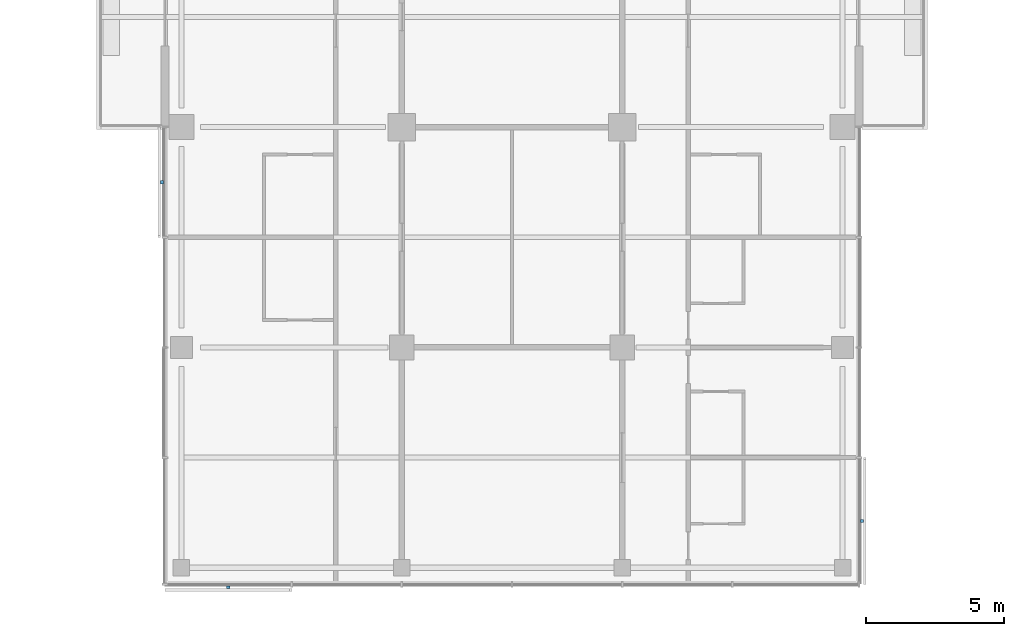
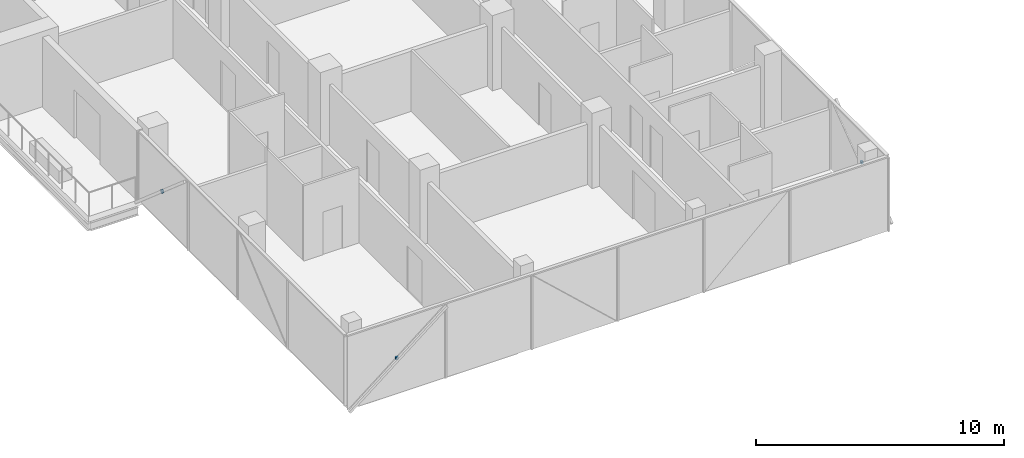
# One storey, part 21 of 25: 3 discrete accessories.
"""IFC4 building model written with IfcOpenShell, lengths in metres."""

from ifc_helpers import new_model, si_unit, direction, frame, origin, origin_2d, place, context, subcontext, project, spatial, rectangle, extrude, material, type_object, element, save


model = new_model("IFC4")

# Units and contexts
model_context = context("Model", 3, precision=1e-05, world=origin(), true_north=direction((0.0, 1.0)))
body_context = subcontext(model_context, "Body", "Model", "MODEL_VIEW")
ifc_project = project(units=[si_unit("LENGTHUNIT", "METRE"), si_unit("AREAUNIT", "SQUARE_METRE"), si_unit("VOLUMEUNIT", "CUBIC_METRE"), si_unit("PLANEANGLEUNIT", "RADIAN"), si_unit("MASSUNIT", "GRAM", prefix="KILO")], contexts=[model_context])

# Site, building, storey
site_placement = place(None, origin())
site = spatial("IfcSite", under=ifc_project, at=site_placement, CompositionType="ELEMENT")
building_placement = place(site_placement, origin())
building = spatial("IfcBuilding", under=site, at=building_placement, Name="Crosswind Convention Tower", CompositionType="ELEMENT")
storey_placement = place(building_placement, frame((0.0, 0.0, 97.89990234375)))
storey = spatial("IfcBuildingStorey", under=building, at=storey_placement, Name="L19", CompositionType="ELEMENT", Elevation=97.89990234375)

# Discrete accessories
ifc_material = material(Name="Stainless steel", Category="steel")
discrete_accessory_type = type_object("IfcDiscreteAccessoryType", Name="BAGUETTE BRACKET BK2", PredefinedType="BRACKET", material=ifc_material)
for number, where, z_axis, x_axis, name in (
    (1, (112.2919921875, 78.0, 1.594970703125), (0.0, 0.0, 1.0), (0.0, -1.0, 0.0), "BK2 baguette bracket"),
    (2, (114.699951171875, 63.2919921875, 1.4775390625), (0.0, 0.0, 1.0), (1.0, 0.0, 0.0), "BK2 baguette bracket"),
    (3, (137.7080078125, 65.699951171875, 1.594970703125), (0.0, 0.0, 1.0), (0.0, 1.0, 0.0), "BK2 baguette bracket"),
):
    element("IfcDiscreteAccessory", number, at=place(storey_placement, frame(where, z_axis=z_axis, x_axis=x_axis)), inside=storey, type_object=discrete_accessory_type, Name=name, PredefinedType="BRACKET", context=body_context, shape_type="SweptSolid", body=[
        extrude(rectangle(XDim=0.1201171875, YDim=0.10009765625, at=origin_2d()), origin(), (0.0, 0.0, 1.0), 0.1201171875),
    ])

save(model, "model.ifc")
